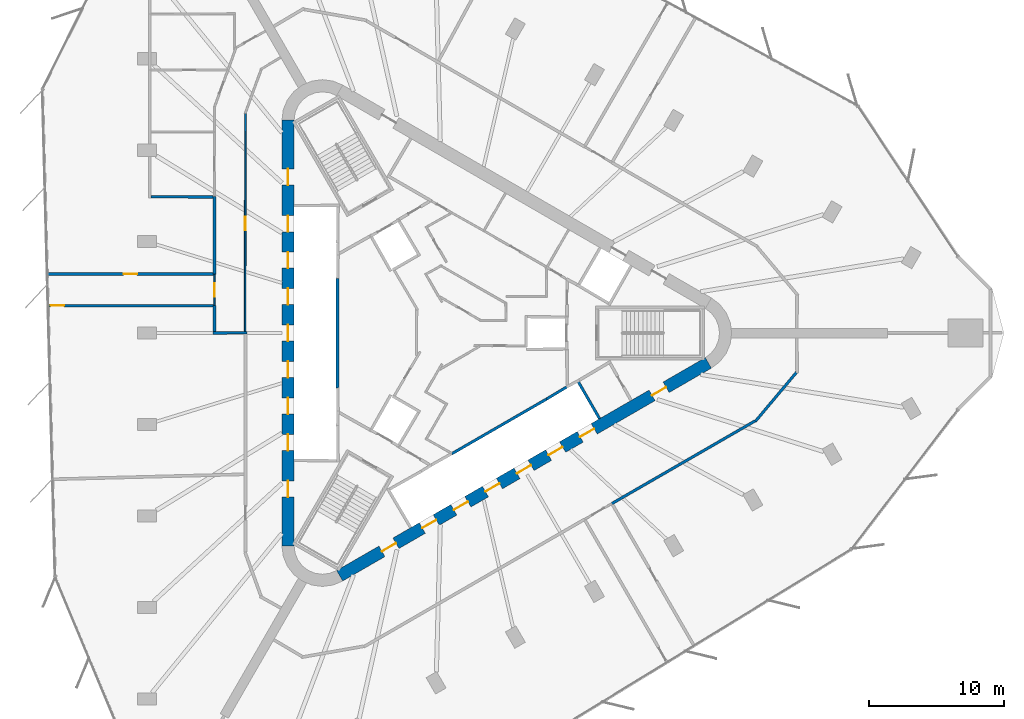
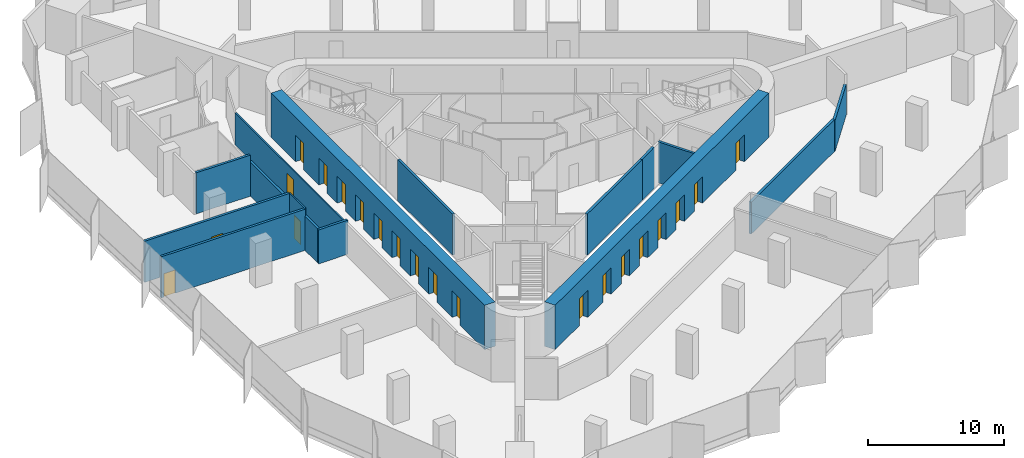
# One storey, part 9 of 14: 21 doors, 16 walls, 21 openings.
"""IFC4 building model written with IfcOpenShell, lengths in metres."""

import ifcopenshell
import ifcopenshell.guid

model = None  # the IFC model being written
_history = None  # IfcOwnerHistory: only IFC2X3 demands one
_inside = {}  # id of a spatial element -> (the spatial element, [elements in it])
_under = {}  # id of a project, library or spatial element -> (it, [spatial elements below it])
_declared = {}  # id of a project -> (the project, [libraries it declares])
_typed = {}  # id of a type object -> (the type object, [elements of that type])
_made_of = {}  # id of a material, layer set ... -> (it, [elements and type objects made of it])


def new_model(schema):
    """Start an empty IFC model of exactly this schema.

    Asked for "IFC4X3", IfcOpenShell would pick the latest addendum, in which some entities
    have other attributes; the version numbers below select the first issue.
    IFC2X3 requires an IfcOwnerHistory on every rooted entity: one is made here for all.
    """
    global model, _history
    if schema == "IFC4X3":
        model = ifcopenshell.file(schema_version=(4, 3, 0, 0))
    else:
        model = ifcopenshell.file(schema=schema)
    _inside.clear()
    _under.clear()
    _declared.clear()
    _typed.clear()
    _made_of.clear()
    _history = None
    if model.schema == "IFC2X3":
        org = make("IfcOrganization", Name="unknown")
        user = make(
            "IfcPersonAndOrganization",
            ThePerson=make("IfcPerson", FamilyName="unknown"),
            TheOrganization=org,
        )
        app = make(
            "IfcApplication",
            ApplicationDeveloper=org,
            Version="unknown",
            ApplicationFullName="unknown",
            ApplicationIdentifier="unknown",
        )
        _history = make(
            "IfcOwnerHistory",
            OwningUser=user,
            OwningApplication=app,
            ChangeAction="ADDED",
            CreationDate=0,
        )
    return model


def make(cls, **values):
    """One entity of the class cls with the attributes given. An attribute that is None is left unset."""
    return model.create_entity(
        cls, **{name: value for name, value in values.items() if value is not None}
    )


def rooted(cls, **values):
    """An entity with a GlobalId (a new one), such as an element, a storey or a relation."""
    return make(cls, GlobalId=ifcopenshell.guid.new(), OwnerHistory=_history, **values)


def si_unit(unit_type, name, prefix=None):
    """IfcSIUnit, for example si_unit("LENGTHUNIT", "METRE", prefix="MILLI")."""
    return make("IfcSIUnit", UnitType=unit_type, Prefix=prefix, Name=name)


def assignment(units):
    """IfcUnitAssignment: the units of a project."""
    return None if units is None else make("IfcUnitAssignment", Units=units)


def point(xyz):
    """IfcCartesianPoint."""
    return None if xyz is None else make("IfcCartesianPoint", Coordinates=xyz)


def direction(xyz):
    """IfcDirection."""
    return None if xyz is None else make("IfcDirection", DirectionRatios=xyz)


def frame(location, z_axis=None, x_axis=None):
    """IfcAxis2Placement3D, a coordinate frame: its origin and axes. An axis left out is left unset."""
    return make(
        "IfcAxis2Placement3D",
        Location=point(location),
        Axis=direction(z_axis),
        RefDirection=direction(x_axis),
    )


def frame_2d(location, x_axis=None):
    """IfcAxis2Placement2D, a coordinate frame in the plane: its origin and x axis."""
    return make(
        "IfcAxis2Placement2D", Location=point(location), RefDirection=direction(x_axis)
    )


def origin():
    """The frame at (0, 0, 0) with its axes left unset."""
    return frame((0.0, 0.0, 0.0))


def place(relative_to, where):
    """IfcLocalPlacement: puts the frame where relative to a parent placement (None: the world)."""
    return make(
        "IfcLocalPlacement", PlacementRelTo=relative_to, RelativePlacement=where
    )


def context(
    kind, dimensions, precision=None, world=None, true_north=None, identifier=None
):
    """IfcGeometricRepresentationContext, for example the 3D "Model" context."""
    return make(
        "IfcGeometricRepresentationContext",
        ContextIdentifier=identifier,
        ContextType=kind,
        CoordinateSpaceDimension=dimensions,
        Precision=precision,
        WorldCoordinateSystem=world,
        TrueNorth=true_north,
    )


def subcontext(parent, identifier, kind, view, scale=None):
    """IfcGeometricRepresentationSubContext, for example "Body" below "Model"."""
    return make(
        "IfcGeometricRepresentationSubContext",
        ContextIdentifier=identifier,
        ContextType=kind,
        ParentContext=parent,
        TargetScale=scale,
        TargetView=view,
    )


def project(units=None, contexts=None):
    """IfcProject with its units and contexts."""
    return rooted(
        "IfcProject",
        Name="project",
        RepresentationContexts=contexts,
        UnitsInContext=assignment(units),
    )


def spatial(cls, under=None, at=None, **own):
    """A site, building, storey or space (cls), placed at a placement, below another one or the project."""
    s = rooted(cls, ObjectPlacement=at, **own)
    if under is not None:
        _under.setdefault(under.id(), (under, []))[1].append(s)
    return s


def profile(cls, at=None, kind="AREA", **sizes):
    """A parametric profile (cls). Its sizes go by their IFC names, for example OverallWidth=200.0."""
    return make(cls, ProfileType=kind, Position=at, **sizes)


def rectangle(**sizes):
    """IfcRectangleProfileDef."""
    return profile("IfcRectangleProfileDef", **sizes)


def extrude(swept, where, along, depth):
    """IfcExtrudedAreaSolid: the profile swept, set in the frame where, extruded along a direction by depth."""
    return make(
        "IfcExtrudedAreaSolid",
        SweptArea=swept,
        Position=where,
        ExtrudedDirection=direction(along),
        Depth=depth,
    )


def shape(context_of_items, identifier, shape_type, items):
    """IfcShapeRepresentation: the items that make up one representation, for example the "Body"."""
    return make(
        "IfcShapeRepresentation",
        ContextOfItems=context_of_items,
        RepresentationIdentifier=identifier,
        RepresentationType=shape_type,
        Items=items,
    )


def material(Name=None, Category=None):
    """IfcMaterial."""
    return make("IfcMaterial", Name=Name, Category=Category)


def layer(
    of_material, thickness, ventilated=None, Name=None, Category=None, Priority=None
):
    """IfcMaterialLayer: one layer of a wall or slab, of a material (None: an air gap)."""
    return make(
        "IfcMaterialLayer",
        Material=of_material,
        LayerThickness=thickness,
        IsVentilated=ventilated,
        Name=Name,
        Category=Category,
        Priority=Priority,
    )


def layer_set(layers, Name=None):
    """IfcMaterialLayerSet."""
    return make("IfcMaterialLayerSet", MaterialLayers=layers, LayerSetName=Name)


def made_of(thing, what):
    """Note that an element or type object is made of a material, layer set ...; save() writes the relation."""
    if what is not None:
        _made_of.setdefault(what.id(), (what, []))[1].append(thing)
    return thing


def type_object(cls, material=None, **own):
    """A type object (cls), such as IfcWallType, which elements share."""
    return made_of(rooted(cls, **own), material)


def element(
    cls,
    number,
    at=None,
    inside=None,
    cuts=None,
    type_object=None,
    material=None,
    context=None,
    identifier="Body",
    shape_type=None,
    held_by="IfcProductDefinitionShape",
    body=None,
    shapes=None,
    **own,
):
    """One element of the class cls, such as IfcWall. Its Tag is "e" and its number.

    at: its placement. inside: the storey or other place that contains it. cuts: it is an
    opening in that element (IfcRelVoidsElement). A single representation is given by context,
    identifier, shape_type and body (its items); several are given by shapes. held_by: the class
    of the entity that holds the representations. save() writes the other relations.
    """
    e = rooted(cls, Tag="e%d" % number, ObjectPlacement=at, **own)
    if body is not None:
        shapes = [shape(context, identifier, shape_type, body)]
    if shapes is not None:
        e.Representation = make(held_by, Representations=shapes)
    if inside is not None:
        _inside.setdefault(inside.id(), (inside, []))[1].append(e)
    if cuts is not None:
        rooted(
            "IfcRelVoidsElement", RelatingBuildingElement=cuts, RelatedOpeningElement=e
        )
    if type_object is not None:
        _typed.setdefault(type_object.id(), (type_object, []))[1].append(e)
    return made_of(e, material)


def fill(opening, filler):
    """IfcRelFillsElement: the door or window that sits in an opening."""
    return rooted(
        "IfcRelFillsElement",
        RelatingOpeningElement=opening,
        RelatedBuildingElement=filler,
    )


def aggregate(whole, parts):
    """IfcRelAggregates: a whole, such as a stair, and the parts it consists of."""
    return rooted("IfcRelAggregates", RelatingObject=whole, RelatedObjects=parts)


def save(model, path):
    """Write the relations noted so far, then the file.

    IfcRelAggregates (storeys below a building ...), IfcRelContainedInSpatialStructure (elements
    in a storey), IfcRelDefinesByType, IfcRelAssociatesMaterial and IfcRelDeclares: one each for
    every whole, place, type object, material and project.
    """
    for whole, parts in _under.values():
        aggregate(whole, parts)
    for where, things in _inside.values():
        rooted(
            "IfcRelContainedInSpatialStructure",
            RelatedElements=things,
            RelatingStructure=where,
        )
    for kind, things in _typed.values():
        rooted("IfcRelDefinesByType", RelatedObjects=things, RelatingType=kind)
    for what, things in _made_of.values():
        rooted("IfcRelAssociatesMaterial", RelatedObjects=things, RelatingMaterial=what)
    for by, libraries in _declared.values():
        rooted("IfcRelDeclares", RelatingContext=by, RelatedDefinitions=libraries)
    model.write(path)


model = new_model("IFC4")

# Units and contexts
model_context = context("Model", 3, precision=1e-05, world=origin(), true_north=direction((0.0, 1.0)))
body_context = subcontext(model_context, "Body", "Model", "MODEL_VIEW")
ifc_project = project(units=[si_unit("LENGTHUNIT", "METRE"), si_unit("AREAUNIT", "SQUARE_METRE"), si_unit("VOLUMEUNIT", "CUBIC_METRE"), si_unit("PLANEANGLEUNIT", "RADIAN"), si_unit("MASSUNIT", "GRAM", prefix="KILO")], contexts=[model_context])

# Site, building, storey
site_placement = place(None, origin())
site = spatial("IfcSite", under=ifc_project, at=site_placement, CompositionType="ELEMENT")
building_placement = place(site_placement, origin())
building = spatial("IfcBuilding", under=site, at=building_placement, Name="Tanit Gate Tower", CompositionType="ELEMENT")
storey_placement = place(building_placement, frame((0.0, 0.0, 225.199951171875)))
storey = spatial("IfcBuildingStorey", under=building, at=storey_placement, Name="L50", CompositionType="ELEMENT", Elevation=225.199951171875)

# Wall, openings, doors
ifc_material_1 = material(Name="Concrete C50/60", Category="concrete")
ifc_layer_1 = layer(ifc_material_1, 0.89990234375)
ifc_layer_set_1 = layer_set([ifc_layer_1], Name="CORE WALL 900 C50/60")
wall_type_1 = type_object("IfcWallType", Name="CORE WALL 900 C50/60", PredefinedType="SHEAR", material=ifc_layer_set_1)
wall_1_placement = place(storey_placement, frame((-11.64990234375, 15.76171875, 0.0), z_axis=(0.0, 0.0, 1.0), x_axis=(0.0, -1.0, 0.0)))
wall_1 = element("IfcWall", 1, at=wall_1_placement, inside=storey, type_object=wall_type_1, Name="CORE WALL", PredefinedType="SHEAR", context=body_context, shape_type="SweptSolid", body=[
    extrude(rectangle(XDim=31.5234375, YDim=0.89990234375, at=frame_2d((15.76171875, 0.0))), origin(), (0.0, 0.0, 1.0), 4.0),
])
opening_1_placement = place(wall_1_placement, frame((7.061767578125, 0.0, 0.0)))
opening_1 = element("IfcOpeningElement", 2, at=opening_1_placement, cuts=wall_1, Name="Opening LDML1-S13", PredefinedType="OPENING", context=body_context, shape_type="SweptSolid", body=[
    extrude(rectangle(XDim=1.199951171875, YDim=2.39990234375, at=frame_2d((0.60009765625, 1.199951171875))), frame((0.0, 0.4599609375, 0.0), z_axis=(0.0, -1.0, 0.0), x_axis=(1.0, 0.0, 0.0)), (0.0, 0.0, 1.0), 0.919921875),
])
opening_2_placement = place(wall_1_placement, frame((9.76171875, 0.0, 0.0)))
opening_2 = element("IfcOpeningElement", 3, at=opening_2_placement, cuts=wall_1, Name="Opening LDML2-S13", PredefinedType="OPENING", context=body_context, shape_type="SweptSolid", body=[
    extrude(rectangle(XDim=1.199951171875, YDim=2.39990234375, at=frame_2d((0.60009765625, 1.199951171875))), frame((0.0, 0.4599609375, 0.0), z_axis=(0.0, -1.0, 0.0), x_axis=(1.0, 0.0, 0.0)), (0.0, 0.0, 1.0), 0.919921875),
])
opening_3_placement = place(wall_1_placement, frame((12.461669921875, 0.0, 0.0)))
opening_3 = element("IfcOpeningElement", 4, at=opening_3_placement, cuts=wall_1, Name="Opening LDML3-S13", PredefinedType="OPENING", context=body_context, shape_type="SweptSolid", body=[
    extrude(rectangle(XDim=1.199951171875, YDim=2.39990234375, at=frame_2d((0.60009765625, 1.199951171875))), frame((0.0, 0.4599609375, 0.0), z_axis=(0.0, -1.0, 0.0), x_axis=(1.0, 0.0, 0.0)), (0.0, 0.0, 1.0), 0.919921875),
])
opening_4_placement = place(wall_1_placement, frame((15.16162109375, 0.0, 0.0)))
opening_4 = element("IfcOpeningElement", 5, at=opening_4_placement, cuts=wall_1, Name="Opening LDML4-S13", PredefinedType="OPENING", context=body_context, shape_type="SweptSolid", body=[
    extrude(rectangle(XDim=1.199951171875, YDim=2.39990234375, at=frame_2d((0.60009765625, 1.199951171875))), frame((0.0, 0.4599609375, 0.0), z_axis=(0.0, -1.0, 0.0), x_axis=(1.0, 0.0, 0.0)), (0.0, 0.0, 1.0), 0.919921875),
])
opening_5_placement = place(wall_1_placement, frame((17.86181640625, 0.0, 0.0)))
opening_5 = element("IfcOpeningElement", 6, at=opening_5_placement, cuts=wall_1, Name="Opening LDML5-S13", PredefinedType="OPENING", context=body_context, shape_type="SweptSolid", body=[
    extrude(rectangle(XDim=1.199951171875, YDim=2.39990234375, at=frame_2d((0.60009765625, 1.199951171875))), frame((0.0, 0.4599609375, 0.0), z_axis=(0.0, -1.0, 0.0), x_axis=(1.0, 0.0, 0.0)), (0.0, 0.0, 1.0), 0.919921875),
])
opening_6_placement = place(wall_1_placement, frame((20.561767578125, 0.0, 0.0)))
opening_6 = element("IfcOpeningElement", 7, at=opening_6_placement, cuts=wall_1, Name="Opening LDML6-S13", PredefinedType="OPENING", context=body_context, shape_type="SweptSolid", body=[
    extrude(rectangle(XDim=1.199951171875, YDim=2.39990234375, at=frame_2d((0.60009765625, 1.199951171875))), frame((0.0, 0.4599609375, 0.0), z_axis=(0.0, -1.0, 0.0), x_axis=(1.0, 0.0, 0.0)), (0.0, 0.0, 1.0), 0.919921875),
])
opening_7_placement = place(wall_1_placement, frame((23.26171875, 0.0, 0.0)))
opening_7 = element("IfcOpeningElement", 8, at=opening_7_placement, cuts=wall_1, Name="Opening LDML7-S13", PredefinedType="OPENING", context=body_context, shape_type="SweptSolid", body=[
    extrude(rectangle(XDim=1.199951171875, YDim=2.39990234375, at=frame_2d((0.60009765625, 1.199951171875))), frame((0.0, 0.4599609375, 0.0), z_axis=(0.0, -1.0, 0.0), x_axis=(1.0, 0.0, 0.0)), (0.0, 0.0, 1.0), 0.919921875),
])
opening_8_placement = place(wall_1_placement, frame((3.61181640625, 0.0, 0.0)))
opening_8 = element("IfcOpeningElement", 9, at=opening_8_placement, cuts=wall_1, Name="Opening F12-S13-FL2", PredefinedType="OPENING", context=body_context, shape_type="SweptSolid", body=[
    extrude(rectangle(XDim=1.199951171875, YDim=2.39990234375, at=frame_2d((0.60009765625, 1.199951171875))), frame((0.0, 0.4599609375, 0.0), z_axis=(0.0, -1.0, 0.0), x_axis=(1.0, 0.0, 0.0)), (0.0, 0.0, 1.0), 0.919921875),
])
opening_9_placement = place(wall_1_placement, frame((26.711669921875, 0.0, 0.0)))
opening_9 = element("IfcOpeningElement", 10, at=opening_9_placement, cuts=wall_1, Name="Opening F12-S13-S3", PredefinedType="OPENING", context=body_context, shape_type="SweptSolid", body=[
    extrude(rectangle(XDim=1.199951171875, YDim=2.39990234375, at=frame_2d((0.60009765625, 1.199951171875))), frame((0.0, 0.4599609375, 0.0), z_axis=(0.0, -1.0, 0.0), x_axis=(1.0, 0.0, 0.0)), (0.0, 0.0, 1.0), 0.919921875),
])
ifc_material_2 = material(Name="Fire-rated steel door leaf", Category="steel")
door_type_1 = type_object("IfcDoorType", Name="INT-DOOR-FIRE-LOBBY-1200", OperationType="NOTDEFINED", PredefinedType="USERDEFINED", material=ifc_material_2)
door_1_placement = place(opening_8_placement, origin())
door_1 = element("IfcDoor", 11, at=door_1_placement, inside=storey, type_object=door_type_1, Name="Door F12-S13-FL2", ObjectType="FIRE DOOR", OperationType="SINGLE_SWING_LEFT", OverallHeight=2.39990234375, OverallWidth=1.199951171875, PredefinedType="USERDEFINED", context=body_context, shape_type="SweptSolid", body=[
    extrude(rectangle(XDim=1.199951171875, YDim=2.39990234375, at=frame_2d((0.60009765625, 1.199951171875))), frame((0.0, 0.02490234375, 0.0), z_axis=(0.0, -1.0, 0.0), x_axis=(1.0, 0.0, 0.0)), (0.0, 0.0, 1.0), 0.050048828125),
])
fill(opening_8, door_1)
door_2_placement = place(opening_9_placement, origin())
door_2 = element("IfcDoor", 12, at=door_2_placement, inside=storey, type_object=door_type_1, Name="Door F12-S13-S3", ObjectType="FIRE DOOR", OperationType="SINGLE_SWING_RIGHT", OverallHeight=2.39990234375, OverallWidth=1.199951171875, PredefinedType="USERDEFINED", context=body_context, shape_type="SweptSolid", body=[
    extrude(rectangle(XDim=1.199951171875, YDim=2.39990234375, at=frame_2d((0.60009765625, 1.199951171875))), frame((0.0, 0.02490234375, 0.0), z_axis=(0.0, -1.0, 0.0), x_axis=(1.0, 0.0, 0.0)), (0.0, 0.0, 1.0), 0.050048828125),
])
fill(opening_9, door_2)
ifc_material_3 = material(Name="Stainless steel sliding door leaf", Category="steel")
door_type_2 = type_object("IfcDoorType", Name="INT-DOOR-LANDING-1200", OperationType="NOTDEFINED", PredefinedType="USERDEFINED", material=ifc_material_3)
door_3_placement = place(opening_1_placement, origin())
door_3 = element("IfcDoor", 13, at=door_3_placement, inside=storey, type_object=door_type_2, Name="Door LDML1-S13", ObjectType="LANDING DOOR", OperationType="SLIDING_TO_LEFT", OverallHeight=2.39990234375, OverallWidth=1.199951171875, PredefinedType="USERDEFINED", context=body_context, shape_type="SweptSolid", body=[
    extrude(rectangle(XDim=1.199951171875, YDim=2.39990234375, at=frame_2d((0.60009765625, 1.199951171875))), frame((0.0, 0.02490234375, 0.0), z_axis=(0.0, -1.0, 0.0), x_axis=(1.0, 0.0, 0.0)), (0.0, 0.0, 1.0), 0.050048828125),
])
fill(opening_1, door_3)
door_4_placement = place(opening_2_placement, origin())
door_4 = element("IfcDoor", 14, at=door_4_placement, inside=storey, type_object=door_type_2, Name="Door LDML2-S13", ObjectType="LANDING DOOR", OperationType="SLIDING_TO_LEFT", OverallHeight=2.39990234375, OverallWidth=1.199951171875, PredefinedType="USERDEFINED", context=body_context, shape_type="SweptSolid", body=[
    extrude(rectangle(XDim=1.199951171875, YDim=2.39990234375, at=frame_2d((0.60009765625, 1.199951171875))), frame((0.0, 0.02490234375, 0.0), z_axis=(0.0, -1.0, 0.0), x_axis=(1.0, 0.0, 0.0)), (0.0, 0.0, 1.0), 0.050048828125),
])
fill(opening_2, door_4)
door_5_placement = place(opening_3_placement, origin())
door_5 = element("IfcDoor", 15, at=door_5_placement, inside=storey, type_object=door_type_2, Name="Door LDML3-S13", ObjectType="LANDING DOOR", OperationType="SLIDING_TO_LEFT", OverallHeight=2.39990234375, OverallWidth=1.199951171875, PredefinedType="USERDEFINED", context=body_context, shape_type="SweptSolid", body=[
    extrude(rectangle(XDim=1.199951171875, YDim=2.39990234375, at=frame_2d((0.60009765625, 1.199951171875))), frame((0.0, 0.02490234375, 0.0), z_axis=(0.0, -1.0, 0.0), x_axis=(1.0, 0.0, 0.0)), (0.0, 0.0, 1.0), 0.050048828125),
])
fill(opening_3, door_5)
door_6_placement = place(opening_4_placement, origin())
door_6 = element("IfcDoor", 16, at=door_6_placement, inside=storey, type_object=door_type_2, Name="Door LDML4-S13", ObjectType="LANDING DOOR", OperationType="SLIDING_TO_LEFT", OverallHeight=2.39990234375, OverallWidth=1.199951171875, PredefinedType="USERDEFINED", context=body_context, shape_type="SweptSolid", body=[
    extrude(rectangle(XDim=1.199951171875, YDim=2.39990234375, at=frame_2d((0.60009765625, 1.199951171875))), frame((0.0, 0.02490234375, 0.0), z_axis=(0.0, -1.0, 0.0), x_axis=(1.0, 0.0, 0.0)), (0.0, 0.0, 1.0), 0.050048828125),
])
fill(opening_4, door_6)
door_7_placement = place(opening_5_placement, origin())
door_7 = element("IfcDoor", 17, at=door_7_placement, inside=storey, type_object=door_type_2, Name="Door LDML5-S13", ObjectType="LANDING DOOR", OperationType="SLIDING_TO_LEFT", OverallHeight=2.39990234375, OverallWidth=1.199951171875, PredefinedType="USERDEFINED", context=body_context, shape_type="SweptSolid", body=[
    extrude(rectangle(XDim=1.199951171875, YDim=2.39990234375, at=frame_2d((0.60009765625, 1.199951171875))), frame((0.0, 0.02490234375, 0.0), z_axis=(0.0, -1.0, 0.0), x_axis=(1.0, 0.0, 0.0)), (0.0, 0.0, 1.0), 0.050048828125),
])
fill(opening_5, door_7)
door_8_placement = place(opening_6_placement, origin())
door_8 = element("IfcDoor", 18, at=door_8_placement, inside=storey, type_object=door_type_2, Name="Door LDML6-S13", ObjectType="LANDING DOOR", OperationType="SLIDING_TO_LEFT", OverallHeight=2.39990234375, OverallWidth=1.199951171875, PredefinedType="USERDEFINED", context=body_context, shape_type="SweptSolid", body=[
    extrude(rectangle(XDim=1.199951171875, YDim=2.39990234375, at=frame_2d((0.60009765625, 1.199951171875))), frame((0.0, 0.02490234375, 0.0), z_axis=(0.0, -1.0, 0.0), x_axis=(1.0, 0.0, 0.0)), (0.0, 0.0, 1.0), 0.050048828125),
])
fill(opening_6, door_8)
door_9_placement = place(opening_7_placement, origin())
door_9 = element("IfcDoor", 19, at=door_9_placement, inside=storey, type_object=door_type_2, Name="Door LDML7-S13", ObjectType="LANDING DOOR", OperationType="SLIDING_TO_LEFT", OverallHeight=2.39990234375, OverallWidth=1.199951171875, PredefinedType="USERDEFINED", context=body_context, shape_type="SweptSolid", body=[
    extrude(rectangle(XDim=1.199951171875, YDim=2.39990234375, at=frame_2d((0.60009765625, 1.199951171875))), frame((0.0, 0.02490234375, 0.0), z_axis=(0.0, -1.0, 0.0), x_axis=(1.0, 0.0, 0.0)), (0.0, 0.0, 1.0), 0.050048828125),
])
fill(opening_7, door_9)

wall_2_placement = place(storey_placement, frame((-7.824951171875, -17.969970703125, 0.0), z_axis=(0.0, 0.0, 1.0), x_axis=(0.866028369851, 0.499994862586, 0.0)))
wall_2 = element("IfcWall", 20, at=wall_2_placement, inside=storey, type_object=wall_type_1, Name="CORE WALL", PredefinedType="SHEAR", context=body_context, shape_type="SweptSolid", body=[
    extrude(rectangle(XDim=31.523193359375, YDim=0.89990234375, at=frame_2d((15.76171875, 0.0))), origin(), (0.0, 0.0, 1.0), 4.0),
])
opening_10_placement = place(wall_2_placement, frame((7.061767578125, 0.0, 0.0)))
opening_10 = element("IfcOpeningElement", 21, at=opening_10_placement, cuts=wall_2, Name="Opening LDSX1-S13", PredefinedType="OPENING", context=body_context, shape_type="SweptSolid", body=[
    extrude(rectangle(XDim=1.199951171875, YDim=2.39990234375, at=frame_2d((0.60009765625, 1.199951171875))), frame((0.0, 0.4599609375, 0.0), z_axis=(0.0, -1.0, 0.0), x_axis=(1.0, 0.0, 0.0)), (0.0, 0.0, 1.0), 0.919921875),
])
opening_11_placement = place(wall_2_placement, frame((9.76171875, 0.0, 0.0)))
opening_11 = element("IfcOpeningElement", 22, at=opening_11_placement, cuts=wall_2, Name="Opening LDSX2-S13", PredefinedType="OPENING", context=body_context, shape_type="SweptSolid", body=[
    extrude(rectangle(XDim=1.199951171875, YDim=2.39990234375, at=frame_2d((0.60009765625, 1.199951171875))), frame((0.0, 0.4599609375, 0.0), z_axis=(0.0, -1.0, 0.0), x_axis=(1.0, 0.0, 0.0)), (0.0, 0.0, 1.0), 0.919921875),
])
opening_12_placement = place(wall_2_placement, frame((12.461669921875, 0.0, 0.0)))
opening_12 = element("IfcOpeningElement", 23, at=opening_12_placement, cuts=wall_2, Name="Opening LDSX3-S13", PredefinedType="OPENING", context=body_context, shape_type="SweptSolid", body=[
    extrude(rectangle(XDim=1.199951171875, YDim=2.39990234375, at=frame_2d((0.60009765625, 1.199951171875))), frame((0.0, 0.4599609375, 0.0), z_axis=(0.0, -1.0, 0.0), x_axis=(1.0, 0.0, 0.0)), (0.0, 0.0, 1.0), 0.919921875),
])
opening_13_placement = place(wall_2_placement, frame((15.16162109375, 0.0, 0.0)))
opening_13 = element("IfcOpeningElement", 24, at=opening_13_placement, cuts=wall_2, Name="Opening LDSX4-S13", PredefinedType="OPENING", context=body_context, shape_type="SweptSolid", body=[
    extrude(rectangle(XDim=1.199951171875, YDim=2.39990234375, at=frame_2d((0.60009765625, 1.199951171875))), frame((0.0, 0.4599609375, 0.0), z_axis=(0.0, -1.0, 0.0), x_axis=(1.0, 0.0, 0.0)), (0.0, 0.0, 1.0), 0.919921875),
])
opening_14_placement = place(wall_2_placement, frame((17.861572265625, 0.0, 0.0)))
opening_14 = element("IfcOpeningElement", 25, at=opening_14_placement, cuts=wall_2, Name="Opening LDSV1-S13", PredefinedType="OPENING", context=body_context, shape_type="SweptSolid", body=[
    extrude(rectangle(XDim=1.199951171875, YDim=2.39990234375, at=frame_2d((0.60009765625, 1.199951171875))), frame((0.0, 0.4599609375, 0.0), z_axis=(0.0, -1.0, 0.0), x_axis=(1.0, 0.0, 0.0)), (0.0, 0.0, 1.0), 0.919921875),
])
opening_15_placement = place(wall_2_placement, frame((20.561767578125, 0.0, 0.0)))
opening_15 = element("IfcOpeningElement", 26, at=opening_15_placement, cuts=wall_2, Name="Opening LDSV2-S13", PredefinedType="OPENING", context=body_context, shape_type="SweptSolid", body=[
    extrude(rectangle(XDim=1.199951171875, YDim=2.39990234375, at=frame_2d((0.60009765625, 1.199951171875))), frame((0.0, 0.4599609375, 0.0), z_axis=(0.0, -1.0, 0.0), x_axis=(1.0, 0.0, 0.0)), (0.0, 0.0, 1.0), 0.919921875),
])
opening_16_placement = place(wall_2_placement, frame((26.711669921875, 0.0, 0.0)))
opening_16 = element("IfcOpeningElement", 27, at=opening_16_placement, cuts=wall_2, Name="Opening F12-S13-S1", PredefinedType="OPENING", context=body_context, shape_type="SweptSolid", body=[
    extrude(rectangle(XDim=1.199951171875, YDim=2.39990234375, at=frame_2d((0.60009765625, 1.199951171875))), frame((0.0, 0.4599609375, 0.0), z_axis=(0.0, -1.0, 0.0), x_axis=(1.0, 0.0, 0.0)), (0.0, 0.0, 1.0), 0.919921875),
])
opening_17_placement = place(wall_2_placement, frame((3.611572265625, 0.0, 0.0)))
opening_17 = element("IfcOpeningElement", 28, at=opening_17_placement, cuts=wall_2, Name="Opening F12-S13-FL3", PredefinedType="OPENING", context=body_context, shape_type="SweptSolid", body=[
    extrude(rectangle(XDim=1.199951171875, YDim=2.39990234375, at=frame_2d((0.60009765625, 1.199951171875))), frame((0.0, 0.4599609375, 0.0), z_axis=(0.0, -1.0, 0.0), x_axis=(1.0, 0.0, 0.0)), (0.0, 0.0, 1.0), 0.919921875),
])
door_10_placement = place(opening_16_placement, origin())
door_10 = element("IfcDoor", 29, at=door_10_placement, inside=storey, type_object=door_type_1, Name="Door F12-S13-S1", ObjectType="FIRE DOOR", OperationType="SINGLE_SWING_RIGHT", OverallHeight=2.39990234375, OverallWidth=1.199951171875, PredefinedType="USERDEFINED", context=body_context, shape_type="SweptSolid", body=[
    extrude(rectangle(XDim=1.199951171875, YDim=2.39990234375, at=frame_2d((0.60009765625, 1.199951171875))), frame((0.0, 0.02490234375, 0.0), z_axis=(0.0, -1.0, 0.0), x_axis=(1.0, 0.0, 0.0)), (0.0, 0.0, 1.0), 0.050048828125),
])
fill(opening_16, door_10)
door_11_placement = place(opening_17_placement, origin())
door_11 = element("IfcDoor", 30, at=door_11_placement, inside=storey, type_object=door_type_1, Name="Door F12-S13-FL3", ObjectType="FIRE DOOR", OperationType="SINGLE_SWING_RIGHT", OverallHeight=2.39990234375, OverallWidth=1.199951171875, PredefinedType="USERDEFINED", context=body_context, shape_type="SweptSolid", body=[
    extrude(rectangle(XDim=1.199951171875, YDim=2.39990234375, at=frame_2d((0.60009765625, 1.199951171875))), frame((0.0, 0.02490234375, 0.0), z_axis=(0.0, -1.0, 0.0), x_axis=(1.0, 0.0, 0.0)), (0.0, 0.0, 1.0), 0.050048828125),
])
fill(opening_17, door_11)
door_12_placement = place(opening_10_placement, origin())
door_12 = element("IfcDoor", 31, at=door_12_placement, inside=storey, type_object=door_type_2, Name="Door LDSX1-S13", ObjectType="LANDING DOOR", OperationType="SLIDING_TO_LEFT", OverallHeight=2.39990234375, OverallWidth=1.199951171875, PredefinedType="USERDEFINED", context=body_context, shape_type="SweptSolid", body=[
    extrude(rectangle(XDim=1.199951171875, YDim=2.39990234375, at=frame_2d((0.60009765625, 1.199951171875))), frame((0.0, 0.02490234375, 0.0), z_axis=(0.0, -1.0, 0.0), x_axis=(1.0, 0.0, 0.0)), (0.0, 0.0, 1.0), 0.050048828125),
])
fill(opening_10, door_12)
door_13_placement = place(opening_11_placement, origin())
door_13 = element("IfcDoor", 32, at=door_13_placement, inside=storey, type_object=door_type_2, Name="Door LDSX2-S13", ObjectType="LANDING DOOR", OperationType="SLIDING_TO_LEFT", OverallHeight=2.39990234375, OverallWidth=1.199951171875, PredefinedType="USERDEFINED", context=body_context, shape_type="SweptSolid", body=[
    extrude(rectangle(XDim=1.199951171875, YDim=2.39990234375, at=frame_2d((0.60009765625, 1.199951171875))), frame((0.0, 0.02490234375, 0.0), z_axis=(0.0, -1.0, 0.0), x_axis=(1.0, 0.0, 0.0)), (0.0, 0.0, 1.0), 0.050048828125),
])
fill(opening_11, door_13)
door_14_placement = place(opening_12_placement, origin())
door_14 = element("IfcDoor", 33, at=door_14_placement, inside=storey, type_object=door_type_2, Name="Door LDSX3-S13", ObjectType="LANDING DOOR", OperationType="SLIDING_TO_LEFT", OverallHeight=2.39990234375, OverallWidth=1.199951171875, PredefinedType="USERDEFINED", context=body_context, shape_type="SweptSolid", body=[
    extrude(rectangle(XDim=1.199951171875, YDim=2.39990234375, at=frame_2d((0.60009765625, 1.199951171875))), frame((0.0, 0.02490234375, 0.0), z_axis=(0.0, -1.0, 0.0), x_axis=(1.0, 0.0, 0.0)), (0.0, 0.0, 1.0), 0.050048828125),
])
fill(opening_12, door_14)
door_15_placement = place(opening_13_placement, origin())
door_15 = element("IfcDoor", 34, at=door_15_placement, inside=storey, type_object=door_type_2, Name="Door LDSX4-S13", ObjectType="LANDING DOOR", OperationType="SLIDING_TO_LEFT", OverallHeight=2.39990234375, OverallWidth=1.199951171875, PredefinedType="USERDEFINED", context=body_context, shape_type="SweptSolid", body=[
    extrude(rectangle(XDim=1.199951171875, YDim=2.39990234375, at=frame_2d((0.60009765625, 1.199951171875))), frame((0.0, 0.02490234375, 0.0), z_axis=(0.0, -1.0, 0.0), x_axis=(1.0, 0.0, 0.0)), (0.0, 0.0, 1.0), 0.050048828125),
])
fill(opening_13, door_15)
door_16_placement = place(opening_14_placement, origin())
door_16 = element("IfcDoor", 35, at=door_16_placement, inside=storey, type_object=door_type_2, Name="Door LDSV1-S13", ObjectType="LANDING DOOR", OperationType="SLIDING_TO_LEFT", OverallHeight=2.39990234375, OverallWidth=1.199951171875, PredefinedType="USERDEFINED", context=body_context, shape_type="SweptSolid", body=[
    extrude(rectangle(XDim=1.199951171875, YDim=2.39990234375, at=frame_2d((0.60009765625, 1.199951171875))), frame((0.0, 0.02490234375, 0.0), z_axis=(0.0, -1.0, 0.0), x_axis=(1.0, 0.0, 0.0)), (0.0, 0.0, 1.0), 0.050048828125),
])
fill(opening_14, door_16)
door_17_placement = place(opening_15_placement, origin())
door_17 = element("IfcDoor", 36, at=door_17_placement, inside=storey, type_object=door_type_2, Name="Door LDSV2-S13", ObjectType="LANDING DOOR", OperationType="SLIDING_TO_LEFT", OverallHeight=2.39990234375, OverallWidth=1.199951171875, PredefinedType="USERDEFINED", context=body_context, shape_type="SweptSolid", body=[
    extrude(rectangle(XDim=1.199951171875, YDim=2.39990234375, at=frame_2d((0.60009765625, 1.199951171875))), frame((0.0, 0.02490234375, 0.0), z_axis=(0.0, -1.0, 0.0), x_axis=(1.0, 0.0, 0.0)), (0.0, 0.0, 1.0), 0.050048828125),
])
fill(opening_15, door_17)

# Walls
ifc_material_4 = material(Name="Fire-rated gypsum board partition")
ifc_layer_2 = layer(ifc_material_4, 0.199951171875)
ifc_layer_set_2 = layer_set([ifc_layer_2], Name="INT-WALL-COMPARTMENT")
wall_type_2 = type_object("IfcWallType", Name="INT-WALL-COMPARTMENT", PredefinedType="PARTITIONING", material=ifc_layer_set_2)
wall_3_placement = place(storey_placement, frame((-17.199951171875, -0.001220703125, 0.0), z_axis=(0.0, 0.0, 1.0), x_axis=(0.999915662945, 0.012987185857, 0.0)))
element("IfcWall", 37, at=wall_3_placement, inside=storey, type_object=wall_type_2, Name="Wall Compartment W089", PredefinedType="PARTITIONING", context=body_context, shape_type="SweptSolid", body=[
    extrude(rectangle(XDim=2.500244140625, YDim=0.199951171875, at=frame_2d((1.25, 0.0))), origin(), (0.0, 0.0, 1.0), 3.070068359375),
])
wall_4_placement = place(storey_placement, frame((-17.10009765625, 10.1298828125, 0.0), z_axis=(0.0, 0.0, 1.0), x_axis=(0.0, -1.0, 0.0)))
element("IfcWall", 38, at=wall_4_placement, inside=storey, type_object=wall_type_2, Name="Wall Compartment W091", PredefinedType="PARTITIONING", context=body_context, shape_type="SweptSolid", body=[
    extrude(rectangle(XDim=5.77978515625, YDim=0.199951171875, at=frame_2d((2.889892578125, 0.0))), origin(), (0.0, 0.0, 1.0), 3.070068359375),
])
wall_5_placement = place(storey_placement, frame((-17.10009765625, 2.050048828125, 0.0), z_axis=(0.0, 0.0, 1.0), x_axis=(0.0, -1.0, 0.0)))
element("IfcWall", 39, at=wall_5_placement, inside=storey, type_object=wall_type_2, Name="Wall Compartment W090", PredefinedType="PARTITIONING", context=body_context, shape_type="SweptSolid", body=[
    extrude(rectangle(XDim=1.949951171875, YDim=0.199951171875, at=frame_2d((0.97509765625, 0.0))), origin(), (0.0, 0.0, 1.0), 3.070068359375),
])
wall_6_placement = place(storey_placement, frame((22.968017578125, -6.5244140625, 0.0), z_axis=(0.0, 0.0, 1.0), x_axis=(0.642764400317, 0.766063917493, 0.0)))
element("IfcWall", 40, at=wall_6_placement, inside=storey, type_object=wall_type_2, Name="Wall Compartment W111", PredefinedType="PARTITIONING", context=body_context, shape_type="SweptSolid", body=[
    extrude(rectangle(XDim=4.740234375, YDim=0.199951171875, at=frame_2d((2.3701171875, 0.0))), origin(), (0.0, 0.0, 1.0), 2.780029296875),
])
wall_7_placement = place(storey_placement, frame((12.317138671875, -12.634033203125, 0.0), z_axis=(0.0, 0.0, 1.0), x_axis=(0.866028561818, 0.499994530085, 0.0)))
element("IfcWall", 41, at=wall_7_placement, inside=storey, type_object=wall_type_2, Name="Wall Compartment W112", PredefinedType="PARTITIONING", context=body_context, shape_type="SweptSolid", body=[
    extrude(rectangle(XDim=12.272705078125, YDim=0.199951171875, at=frame_2d((6.13623046875, 0.0))), origin(), (0.0, 0.0, 1.0), 2.880126953125),
])

# Wall, opening, door
wall_8_placement = place(storey_placement, frame((-29.4208984375, 2.030029296875, 0.0), z_axis=(0.0, 0.0, 1.0), x_axis=(1.0, 0.0, 0.0)))
wall_8 = element("IfcWall", 42, at=wall_8_placement, inside=storey, type_object=wall_type_2, Name="Wall Compartment W116", PredefinedType="PARTITIONING", context=body_context, shape_type="SweptSolid", body=[
    extrude(rectangle(XDim=12.260986328125, YDim=0.199951171875, at=frame_2d((6.13037109375, 0.0))), origin(), (0.0, 0.0, 1.0), 3.699951171875),
])
opening_18_placement = place(wall_8_placement, frame((0.199951171875, 0.0, 0.0)))
opening_18 = element("IfcOpeningElement", 43, at=opening_18_placement, cuts=wall_8, Name="Opening F10-S13-27", PredefinedType="OPENING", context=body_context, shape_type="SweptSolid", body=[
    extrude(rectangle(XDim=1.0, YDim=2.10009765625, at=frame_2d((0.5, 1.050048828125))), frame((0.0, 0.10986328125, 0.0), z_axis=(0.0, -1.0, 0.0), x_axis=(1.0, 0.0, 0.0)), (0.0, 0.0, 1.0), 0.219970703125),
])
ifc_material_5 = material(Name="Fire-rated steel door leaf", Category="steel")
door_type_3 = type_object("IfcDoorType", Name="INT-DOOR-FIRE-1000", OperationType="NOTDEFINED", PredefinedType="USERDEFINED", material=ifc_material_5)
door_18_placement = place(opening_18_placement, origin())
door_18 = element("IfcDoor", 44, at=door_18_placement, inside=storey, type_object=door_type_3, Name="Door F10-S13-27", ObjectType="FIRE DOOR", OperationType="SINGLE_SWING_LEFT", OverallHeight=2.10009765625, OverallWidth=1.0, PredefinedType="USERDEFINED", context=body_context, shape_type="SweptSolid", body=[
    extrude(rectangle(XDim=1.0, YDim=2.10009765625, at=frame_2d((0.5, 1.050048828125))), frame((0.0, 0.02490234375, 0.0), z_axis=(0.0, -1.0, 0.0), x_axis=(1.0, 0.0, 0.0)), (0.0, 0.0, 1.0), 0.050048828125),
])
fill(opening_18, door_18)

wall_9_placement = place(storey_placement, frame((-17.159912109375, 4.3701171875, 0.0), z_axis=(0.0, 0.0, 1.0), x_axis=(-1.0, 0.0, 0.0)))
wall_9 = element("IfcWall", 45, at=wall_9_placement, inside=storey, type_object=wall_type_2, Name="Wall Compartment W117", PredefinedType="PARTITIONING", context=body_context, shape_type="SweptSolid", body=[
    extrude(rectangle(XDim=12.322021484375, YDim=0.199951171875, at=frame_2d((6.1611328125, 0.0))), origin(), (0.0, 0.0, 1.0), 3.699951171875),
])
opening_19_placement = place(wall_9_placement, frame((5.660888671875, 0.0, 0.0)))
opening_19 = element("IfcOpeningElement", 46, at=opening_19_placement, cuts=wall_9, Name="Opening F10-S13-28", PredefinedType="OPENING", context=body_context, shape_type="SweptSolid", body=[
    extrude(rectangle(XDim=1.0, YDim=2.10009765625, at=frame_2d((0.5, 1.050048828125))), frame((0.0, 0.10986328125, 0.0), z_axis=(0.0, -1.0, 0.0), x_axis=(1.0, 0.0, 0.0)), (0.0, 0.0, 1.0), 0.219970703125),
])
door_19_placement = place(opening_19_placement, origin())
door_19 = element("IfcDoor", 47, at=door_19_placement, inside=storey, type_object=door_type_3, Name="Door F10-S13-28", ObjectType="FIRE DOOR", OperationType="SINGLE_SWING_RIGHT", OverallHeight=2.10009765625, OverallWidth=1.0, PredefinedType="USERDEFINED", context=body_context, shape_type="SweptSolid", body=[
    extrude(rectangle(XDim=1.0, YDim=2.10009765625, at=frame_2d((0.5, 1.050048828125))), frame((0.0, 0.02490234375, 0.0), z_axis=(0.0, -1.0, 0.0), x_axis=(1.0, 0.0, 0.0)), (0.0, 0.0, 1.0), 0.050048828125),
])
fill(opening_19, door_19)

# Wall
wall_10_placement = place(storey_placement, frame((-21.7900390625, 10.099365234375, 0.0), z_axis=(0.0, 0.0, 1.0), x_axis=(0.99998030485, -0.006276138289, 0.0)))
element("IfcWall", 48, at=wall_10_placement, inside=storey, type_object=wall_type_2, Name="Wall Compartment W124", PredefinedType="PARTITIONING", context=body_context, shape_type="SweptSolid", body=[
    extrude(rectangle(XDim=4.590087890625, YDim=0.199951171875, at=frame_2d((2.294921875, 0.0))), origin(), (0.0, 0.0, 1.0), 3.699951171875),
])

# Wall, opening, door
ifc_material_6 = material(Name="Gypsum board partition")
ifc_layer_3 = layer(ifc_material_6, 0.1201171875)
ifc_layer_set_3 = layer_set([ifc_layer_3], Name="INT-WALL-PARTITION")
wall_type_3 = type_object("IfcWallType", Name="INT-WALL-PARTITION", PredefinedType="PARTITIONING", material=ifc_layer_set_3)
wall_11_placement = place(storey_placement, frame((-14.800048828125, 16.257080078125, 0.0), z_axis=(0.0, 0.0, 1.0), x_axis=(-0.001847148781, -0.999998294019, 0.0)))
wall_11 = element("IfcWall", 49, at=wall_11_placement, inside=storey, type_object=wall_type_3, Name="Wall Partition W087", PredefinedType="PARTITIONING", context=body_context, shape_type="SweptSolid", body=[
    extrude(rectangle(XDim=16.257080078125, YDim=0.1201171875, at=frame_2d((8.12841796875, 0.0))), origin(), (0.0, 0.0, 1.0), 2.880126953125),
])
opening_20_placement = place(wall_11_placement, frame((7.628662109375, 0.0, 0.0)))
opening_20 = element("IfcOpeningElement", 50, at=opening_20_placement, cuts=wall_11, Name="Opening D10-S13-18", PredefinedType="OPENING", context=body_context, shape_type="SweptSolid", body=[
    extrude(rectangle(XDim=1.0, YDim=2.10009765625, at=frame_2d((0.5, 1.050048828125))), frame((0.0, 0.070068359375, 0.0), z_axis=(0.0, -1.0, 0.0), x_axis=(1.0, 0.0, 0.0)), (0.0, 0.0, 1.0), 0.14013671875),
])
ifc_material_7 = material(Name="Timber door leaf", Category="wood")
door_type_4 = type_object("IfcDoorType", Name="INT-DOOR-SINGLE-1000", OperationType="NOTDEFINED", PredefinedType="NOTDEFINED", material=ifc_material_7)
door_20_placement = place(opening_20_placement, origin())
door_20 = element("IfcDoor", 51, at=door_20_placement, inside=storey, type_object=door_type_4, Name="Door D10-S13-18", OperationType="SINGLE_SWING_RIGHT", OverallHeight=2.10009765625, OverallWidth=1.0, PredefinedType="NOTDEFINED", context=body_context, shape_type="SweptSolid", body=[
    extrude(rectangle(XDim=1.0, YDim=2.10009765625, at=frame_2d((0.5, 1.050048828125))), frame((0.0, 0.02490234375, 0.0), z_axis=(0.0, -1.0, 0.0), x_axis=(1.0, 0.0, 0.0)), (0.0, 0.0, 1.0), 0.050048828125),
])
fill(opening_20, door_20)

wall_12_placement = place(storey_placement, frame((-17.10009765625, 4.35009765625, 0.0), z_axis=(0.0, 0.0, 1.0), x_axis=(0.0, -1.0, 0.0)))
wall_12 = element("IfcWall", 52, at=wall_12_placement, inside=storey, type_object=wall_type_3, Name="Wall Partition W088", PredefinedType="PARTITIONING", context=body_context, shape_type="SweptSolid", body=[
    extrude(rectangle(XDim=2.300048828125, YDim=0.1201171875, at=frame_2d((1.14990234375, 0.0))), origin(), (0.0, 0.0, 1.0), 3.699951171875),
])
opening_21_placement = place(wall_12_placement, frame((0.64990234375, 0.0, 0.0)))
opening_21 = element("IfcOpeningElement", 53, at=opening_21_placement, cuts=wall_12, Name="Opening D10-S13-19", PredefinedType="OPENING", context=body_context, shape_type="SweptSolid", body=[
    extrude(rectangle(XDim=1.0, YDim=2.10009765625, at=frame_2d((0.5, 1.050048828125))), frame((0.0, 0.070068359375, 0.0), z_axis=(0.0, -1.0, 0.0), x_axis=(1.0, 0.0, 0.0)), (0.0, 0.0, 1.0), 0.14013671875),
])
door_21_placement = place(opening_21_placement, origin())
door_21 = element("IfcDoor", 54, at=door_21_placement, inside=storey, type_object=door_type_4, Name="Door D10-S13-19", OperationType="SINGLE_SWING_LEFT", OverallHeight=2.10009765625, OverallWidth=1.0, PredefinedType="NOTDEFINED", context=body_context, shape_type="SweptSolid", body=[
    extrude(rectangle(XDim=1.0, YDim=2.10009765625, at=frame_2d((0.5, 1.050048828125))), frame((0.0, 0.02490234375, 0.0), z_axis=(0.0, -1.0, 0.0), x_axis=(1.0, 0.0, 0.0)), (0.0, 0.0, 1.0), 0.050048828125),
])
fill(opening_21, door_21)

# Walls
ifc_material_8 = material(Name="Gypsum shaft wall system")
ifc_layer_4 = layer(ifc_material_8, 0.199951171875)
ifc_layer_set_4 = layer_set([ifc_layer_4], Name="INT-WALL-SHAFT")
wall_type_4 = type_object("IfcWallType", Name="INT-WALL-SHAFT", PredefinedType="PLUMBINGWALL", material=ifc_layer_set_4)
wall_13_placement = place(storey_placement, frame((-7.97998046875, 4.050048828125, 0.0), z_axis=(0.0, 0.0, 1.0), x_axis=(0.0, -1.0, 0.0)))
element("IfcWall", 55, at=wall_13_placement, inside=storey, type_object=wall_type_4, Name="Wall Shaft W005", PredefinedType="PLUMBINGWALL", context=body_context, shape_type="SweptSolid", body=[
    extrude(rectangle(XDim=8.10009765625, YDim=0.199951171875, at=frame_2d((4.050048828125, 0.0))), origin(), (0.0, 0.0, 1.0), 3.699951171875),
])
wall_14_placement = place(storey_placement, frame((0.482666015625, -8.935791015625, 0.0), z_axis=(0.0, 0.0, 1.0), x_axis=(0.866030989016, 0.499990325971, 0.0)))
element("IfcWall", 56, at=wall_14_placement, inside=storey, type_object=wall_type_4, Name="Wall Shaft W023", PredefinedType="PLUMBINGWALL", context=body_context, shape_type="SweptSolid", body=[
    extrude(rectangle(XDim=8.099853515625, YDim=0.199951171875, at=frame_2d((4.0498046875, 0.0))), origin(), (0.0, 0.0, 1.0), 3.699951171875),
])
wall_15_placement = place(storey_placement, frame((9.794677734375, -3.52490234375, 0.0), z_axis=(0.0, 0.0, 1.0), x_axis=(0.499984717929, -0.866034226713, 0.0)))
element("IfcWall", 57, at=wall_15_placement, inside=storey, type_object=wall_type_4, Name="Wall Shaft W016", PredefinedType="PLUMBINGWALL", context=body_context, shape_type="SweptSolid", body=[
    extrude(rectangle(XDim=3.25, YDim=0.199951171875, at=frame_2d((1.625, 0.0))), origin(), (0.0, 0.0, 1.0), 3.699951171875),
])
wall_16_placement = place(storey_placement, frame((7.497314453125, -4.885986328125, 0.0), z_axis=(0.0, 0.0, 1.0), x_axis=(0.857516281273, 0.51445682749, 0.0)))
element("IfcWall", 58, at=wall_16_placement, inside=storey, type_object=wall_type_4, Name="Wall Shaft W018", PredefinedType="PLUMBINGWALL", context=body_context, shape_type="SweptSolid", body=[
    extrude(rectangle(XDim=1.8447265625, YDim=0.199951171875, at=frame_2d((0.92236328125, 0.0))), origin(), (0.0, 0.0, 1.0), 3.699951171875),
])

save(model, "model.ifc")
